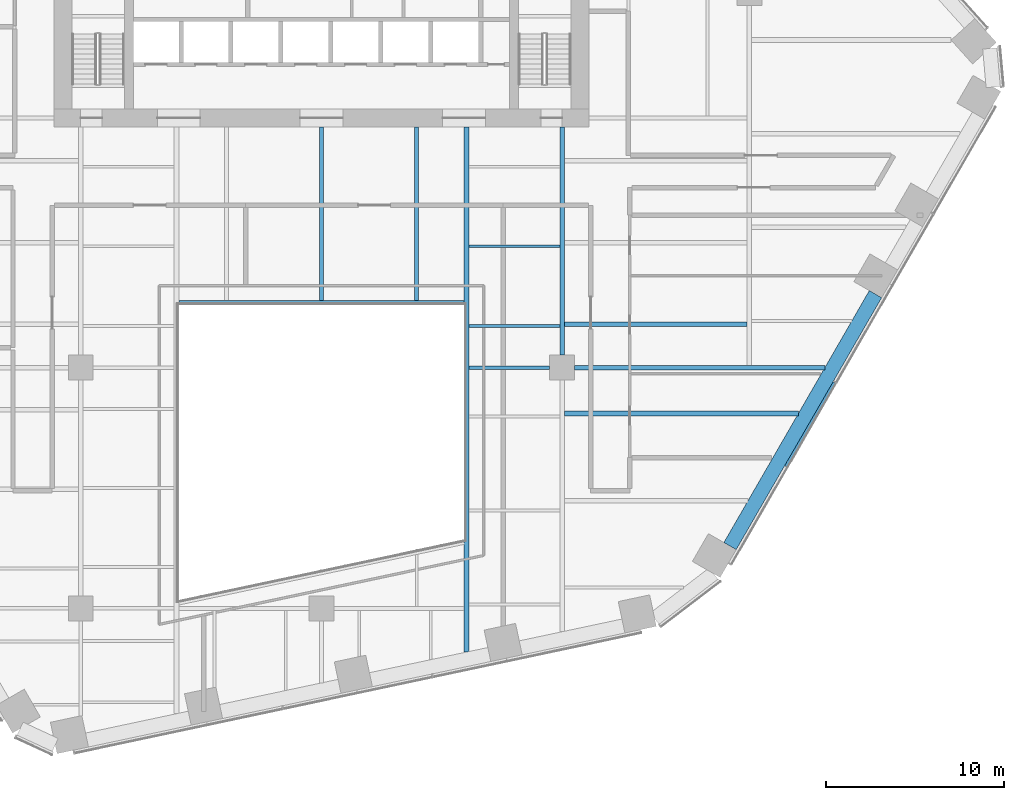
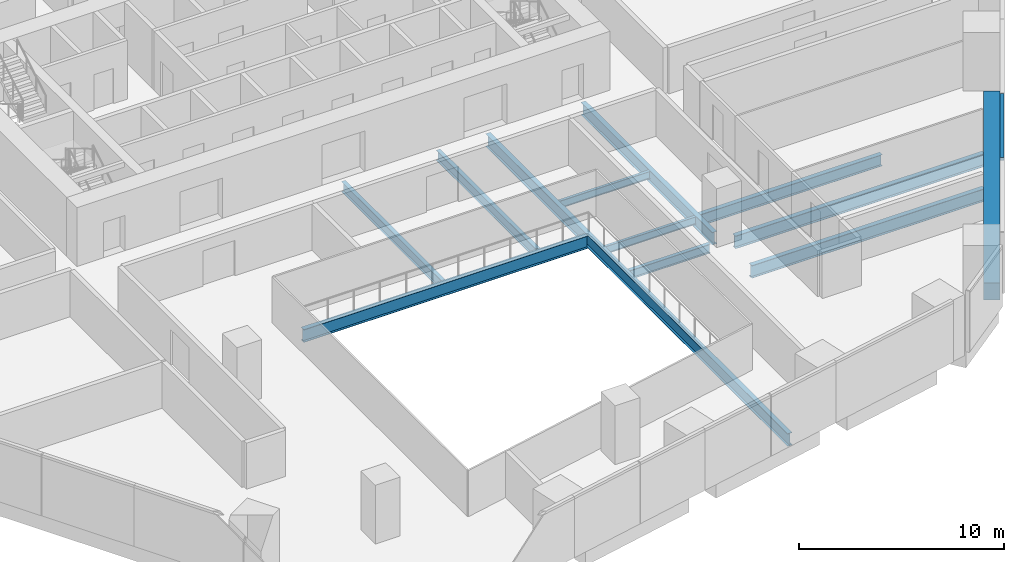
# One storey, part 6 of 20: 12 beams, 1 member, 1 element without a shape of its own.
"""IFC4 building model written with IfcOpenShell, lengths in metres."""

import ifcopenshell
import ifcopenshell.guid

model = None  # the IFC model being written
_history = None  # IfcOwnerHistory: only IFC2X3 demands one
_inside = {}  # id of a spatial element -> (the spatial element, [elements in it])
_under = {}  # id of a project, library or spatial element -> (it, [spatial elements below it])
_declared = {}  # id of a project -> (the project, [libraries it declares])
_typed = {}  # id of a type object -> (the type object, [elements of that type])
_made_of = {}  # id of a material, layer set ... -> (it, [elements and type objects made of it])


def new_model(schema):
    """Start an empty IFC model of exactly this schema.

    Asked for "IFC4X3", IfcOpenShell would pick the latest addendum, in which some entities
    have other attributes; the version numbers below select the first issue.
    IFC2X3 requires an IfcOwnerHistory on every rooted entity: one is made here for all.
    """
    global model, _history
    if schema == "IFC4X3":
        model = ifcopenshell.file(schema_version=(4, 3, 0, 0))
    else:
        model = ifcopenshell.file(schema=schema)
    _inside.clear()
    _under.clear()
    _declared.clear()
    _typed.clear()
    _made_of.clear()
    _history = None
    if model.schema == "IFC2X3":
        org = make("IfcOrganization", Name="unknown")
        user = make(
            "IfcPersonAndOrganization",
            ThePerson=make("IfcPerson", FamilyName="unknown"),
            TheOrganization=org,
        )
        app = make(
            "IfcApplication",
            ApplicationDeveloper=org,
            Version="unknown",
            ApplicationFullName="unknown",
            ApplicationIdentifier="unknown",
        )
        _history = make(
            "IfcOwnerHistory",
            OwningUser=user,
            OwningApplication=app,
            ChangeAction="ADDED",
            CreationDate=0,
        )
    return model


def make(cls, **values):
    """One entity of the class cls with the attributes given. An attribute that is None is left unset."""
    return model.create_entity(
        cls, **{name: value for name, value in values.items() if value is not None}
    )


def rooted(cls, **values):
    """An entity with a GlobalId (a new one), such as an element, a storey or a relation."""
    return make(cls, GlobalId=ifcopenshell.guid.new(), OwnerHistory=_history, **values)


def si_unit(unit_type, name, prefix=None):
    """IfcSIUnit, for example si_unit("LENGTHUNIT", "METRE", prefix="MILLI")."""
    return make("IfcSIUnit", UnitType=unit_type, Prefix=prefix, Name=name)


def assignment(units):
    """IfcUnitAssignment: the units of a project."""
    return None if units is None else make("IfcUnitAssignment", Units=units)


def point(xyz):
    """IfcCartesianPoint."""
    return None if xyz is None else make("IfcCartesianPoint", Coordinates=xyz)


def direction(xyz):
    """IfcDirection."""
    return None if xyz is None else make("IfcDirection", DirectionRatios=xyz)


def frame(location, z_axis=None, x_axis=None):
    """IfcAxis2Placement3D, a coordinate frame: its origin and axes. An axis left out is left unset."""
    return make(
        "IfcAxis2Placement3D",
        Location=point(location),
        Axis=direction(z_axis),
        RefDirection=direction(x_axis),
    )


def frame_2d(location, x_axis=None):
    """IfcAxis2Placement2D, a coordinate frame in the plane: its origin and x axis."""
    return make(
        "IfcAxis2Placement2D", Location=point(location), RefDirection=direction(x_axis)
    )


def origin():
    """The frame at (0, 0, 0) with its axes left unset."""
    return frame((0.0, 0.0, 0.0))


def origin_2d():
    """The frame at (0, 0) in the plane with its x axis left unset."""
    return frame_2d((0.0, 0.0))


def place(relative_to, where):
    """IfcLocalPlacement: puts the frame where relative to a parent placement (None: the world)."""
    return make(
        "IfcLocalPlacement", PlacementRelTo=relative_to, RelativePlacement=where
    )


def context(
    kind, dimensions, precision=None, world=None, true_north=None, identifier=None
):
    """IfcGeometricRepresentationContext, for example the 3D "Model" context."""
    return make(
        "IfcGeometricRepresentationContext",
        ContextIdentifier=identifier,
        ContextType=kind,
        CoordinateSpaceDimension=dimensions,
        Precision=precision,
        WorldCoordinateSystem=world,
        TrueNorth=true_north,
    )


def subcontext(parent, identifier, kind, view, scale=None):
    """IfcGeometricRepresentationSubContext, for example "Body" below "Model"."""
    return make(
        "IfcGeometricRepresentationSubContext",
        ContextIdentifier=identifier,
        ContextType=kind,
        ParentContext=parent,
        TargetScale=scale,
        TargetView=view,
    )


def project(units=None, contexts=None):
    """IfcProject with its units and contexts."""
    return rooted(
        "IfcProject",
        Name="project",
        RepresentationContexts=contexts,
        UnitsInContext=assignment(units),
    )


def spatial(cls, under=None, at=None, **own):
    """A site, building, storey or space (cls), placed at a placement, below another one or the project."""
    s = rooted(cls, ObjectPlacement=at, **own)
    if under is not None:
        _under.setdefault(under.id(), (under, []))[1].append(s)
    return s


def profile(cls, at=None, kind="AREA", **sizes):
    """A parametric profile (cls). Its sizes go by their IFC names, for example OverallWidth=200.0."""
    return make(cls, ProfileType=kind, Position=at, **sizes)


def rectangle(**sizes):
    """IfcRectangleProfileDef."""
    return profile("IfcRectangleProfileDef", **sizes)


def i_section(**sizes):
    """IfcIShapeProfileDef."""
    return profile("IfcIShapeProfileDef", **sizes)


def extrude(swept, where, along, depth):
    """IfcExtrudedAreaSolid: the profile swept, set in the frame where, extruded along a direction by depth."""
    return make(
        "IfcExtrudedAreaSolid",
        SweptArea=swept,
        Position=where,
        ExtrudedDirection=direction(along),
        Depth=depth,
    )


def shape(context_of_items, identifier, shape_type, items):
    """IfcShapeRepresentation: the items that make up one representation, for example the "Body"."""
    return make(
        "IfcShapeRepresentation",
        ContextOfItems=context_of_items,
        RepresentationIdentifier=identifier,
        RepresentationType=shape_type,
        Items=items,
    )


def material(Name=None, Category=None):
    """IfcMaterial."""
    return make("IfcMaterial", Name=Name, Category=Category)


def layer(
    of_material, thickness, ventilated=None, Name=None, Category=None, Priority=None
):
    """IfcMaterialLayer: one layer of a wall or slab, of a material (None: an air gap)."""
    return make(
        "IfcMaterialLayer",
        Material=of_material,
        LayerThickness=thickness,
        IsVentilated=ventilated,
        Name=Name,
        Category=Category,
        Priority=Priority,
    )


def layer_set(layers, Name=None):
    """IfcMaterialLayerSet."""
    return make("IfcMaterialLayerSet", MaterialLayers=layers, LayerSetName=Name)


def material_profile(
    of_material, cross_section, Name=None, Category=None, Priority=None
):
    """IfcMaterialProfile: a cross section and its material."""
    return make(
        "IfcMaterialProfile",
        Name=Name,
        Material=of_material,
        Profile=cross_section,
        Priority=Priority,
        Category=Category,
    )


def profile_set(profiles, Name=None, composite=None):
    """IfcMaterialProfileSet."""
    return make(
        "IfcMaterialProfileSet",
        Name=Name,
        MaterialProfiles=profiles,
        CompositeProfile=composite,
    )


def made_of(thing, what):
    """Note that an element or type object is made of a material, layer set ...; save() writes the relation."""
    if what is not None:
        _made_of.setdefault(what.id(), (what, []))[1].append(thing)
    return thing


def type_object(cls, material=None, **own):
    """A type object (cls), such as IfcWallType, which elements share."""
    return made_of(rooted(cls, **own), material)


def element(
    cls,
    number,
    at=None,
    inside=None,
    cuts=None,
    type_object=None,
    material=None,
    context=None,
    identifier="Body",
    shape_type=None,
    held_by="IfcProductDefinitionShape",
    body=None,
    shapes=None,
    **own,
):
    """One element of the class cls, such as IfcWall. Its Tag is "e" and its number.

    at: its placement. inside: the storey or other place that contains it. cuts: it is an
    opening in that element (IfcRelVoidsElement). A single representation is given by context,
    identifier, shape_type and body (its items); several are given by shapes. held_by: the class
    of the entity that holds the representations. save() writes the other relations.
    """
    e = rooted(cls, Tag="e%d" % number, ObjectPlacement=at, **own)
    if body is not None:
        shapes = [shape(context, identifier, shape_type, body)]
    if shapes is not None:
        e.Representation = make(held_by, Representations=shapes)
    if inside is not None:
        _inside.setdefault(inside.id(), (inside, []))[1].append(e)
    if cuts is not None:
        rooted(
            "IfcRelVoidsElement", RelatingBuildingElement=cuts, RelatedOpeningElement=e
        )
    if type_object is not None:
        _typed.setdefault(type_object.id(), (type_object, []))[1].append(e)
    return made_of(e, material)


def aggregate(whole, parts):
    """IfcRelAggregates: a whole, such as a stair, and the parts it consists of."""
    return rooted("IfcRelAggregates", RelatingObject=whole, RelatedObjects=parts)


def save(model, path):
    """Write the relations noted so far, then the file.

    IfcRelAggregates (storeys below a building ...), IfcRelContainedInSpatialStructure (elements
    in a storey), IfcRelDefinesByType, IfcRelAssociatesMaterial and IfcRelDeclares: one each for
    every whole, place, type object, material and project.
    """
    for whole, parts in _under.values():
        aggregate(whole, parts)
    for where, things in _inside.values():
        rooted(
            "IfcRelContainedInSpatialStructure",
            RelatedElements=things,
            RelatingStructure=where,
        )
    for kind, things in _typed.values():
        rooted("IfcRelDefinesByType", RelatedObjects=things, RelatingType=kind)
    for what, things in _made_of.values():
        rooted("IfcRelAssociatesMaterial", RelatedObjects=things, RelatingMaterial=what)
    for by, libraries in _declared.values():
        rooted("IfcRelDeclares", RelatingContext=by, RelatedDefinitions=libraries)
    model.write(path)


model = new_model("IFC4")

# Units and contexts
model_context = context("Model", 3, precision=1e-05, world=origin(), true_north=direction((0.0, 1.0)))
body_context = subcontext(model_context, "Body", "Model", "MODEL_VIEW")
ifc_project = project(units=[si_unit("LENGTHUNIT", "METRE"), si_unit("AREAUNIT", "SQUARE_METRE"), si_unit("VOLUMEUNIT", "CUBIC_METRE"), si_unit("PLANEANGLEUNIT", "RADIAN"), si_unit("MASSUNIT", "GRAM", prefix="KILO")], contexts=[model_context])

# Site, building, storey
site_placement = place(None, origin())
site = spatial("IfcSite", under=ifc_project, at=site_placement, CompositionType="ELEMENT")
building_placement = place(site_placement, origin())
building = spatial("IfcBuilding", under=site, at=building_placement, Name="Isthmus Gate Tower", CompositionType="ELEMENT")
storey_placement = place(building_placement, frame((0.0, 0.0, 61.550048828125)))
storey = spatial("IfcBuildingStorey", under=building, at=storey_placement, Name="L13", CompositionType="ELEMENT", Elevation=61.550048828125)

# Curtain wall, member
ifc_material_1 = material(Name="Aluminium, pale champagne anodised", Category="aluminium")
ifc_layer = layer(ifc_material_1, 0.199951171875)
ifc_layer_set = layer_set([ifc_layer], Name="CW-1 UNITISED CURTAIN WALL 200 DEEP")
curtain_wall_type = type_object("IfcCurtainWallType", Name="CW-1 UNITISED CURTAIN WALL 200 DEEP", PredefinedType="NOTDEFINED", material=ifc_layer_set)
curtain_wall_placement = place(storey_placement, origin())
curtain_wall = element("IfcCurtainWall", 1, at=curtain_wall_placement, inside=storey, type_object=curtain_wall_type, Name="CW-1 SE L13", PredefinedType="NOTDEFINED")
ifc_material_2 = material(Name="Aluminium, pale champagne anodised", Category="aluminium")
ifc_material_profile_1 = material_profile(ifc_material_2, rectangle(XDim=0.199951171875, YDim=0.14990234375, at=origin_2d()), Name="200x150")
ifc_profile_set_1 = profile_set([ifc_material_profile_1], Name="Aluminium, pale champagne anodised")
member_type = type_object("IfcMemberType", Name="CW-1 TRANSOM 200 X 150", PredefinedType="USERDEFINED", material=ifc_profile_set_1)
member_placement = place(storey_placement, frame((26.06787109375, -19.04931640625, 3.574951171875), z_axis=(0.499991872758, 0.866030095999, 0.0), x_axis=(-0.866030095999, 0.499991872758, 0.0)))
member = element("IfcMember", 2, at=member_placement, type_object=member_type, Name="CW-1 transom", ObjectType="TRANSOM", PredefinedType="USERDEFINED", context=body_context, shape_type="SweptSolid", body=[
    extrude(rectangle(XDim=0.199951171875, YDim=0.14990234375, at=origin_2d()), origin(), (0.0, 0.0, 1.0), 5.4384765625),
])
aggregate(curtain_wall, [member])

# Beams
ifc_material_3 = material(Name="Concrete f'c 70 MPa", Category="concrete")
ifc_material_profile_2 = material_profile(ifc_material_3, rectangle(XDim=0.800048828125, YDim=1.0, at=origin_2d()), Name="RC 800X1000")
ifc_profile_set_2 = profile_set([ifc_material_profile_2], Name="Concrete f'c 70 MPa")
beam_type_1 = type_object("IfcBeamType", Name="RC SPANDREL 800 X 1000", PredefinedType="SPANDREL", material=ifc_profile_set_2)
beam_1_placement = place(storey_placement, frame((31.0732421875, -9.37939453125, -0.5), z_axis=(-0.499991872758, -0.866030095999, 0.0), x_axis=(0.866030095999, -0.499991872758, 0.0)))
element("IfcBeam", 3, at=beam_1_placement, inside=storey, type_object=beam_type_1, Name="str-spandrel-L13-08", PredefinedType="SPANDREL", context=body_context, shape_type="SweptSolid", body=[
    extrude(rectangle(XDim=0.800048828125, YDim=1.0, at=origin_2d()), origin(), (0.0, 0.0, 1.0), 16.315673828125),
])
ifc_material_4 = material(Name="Structural steel ASTM A992 Gr 50", Category="steel")
ifc_material_profile_3 = material_profile(ifc_material_4, i_section(OverallWidth=0.15234375, OverallDepth=0.45068359375, WebThickness=0.0078125, FlangeThickness=0.010986328125, at=origin_2d()), Name="W18X35")
ifc_profile_set_3 = profile_set([ifc_material_profile_3], Name="Structural steel ASTM A992 Gr 50")
beam_type_2 = type_object("IfcBeamType", Name="STEEL FLOOR BEAM W18X35", PredefinedType="JOIST", material=ifc_profile_set_3)
for number, where, z_axis, x_axis, name in (
    (4, (8.263427734375, -11.16259765625, -0.37548828125), (1.0, 0.0, 0.0), (0.0, 1.0, 0.0), "str-beam-L13-23-00"),
    (5, (8.263427734375, -6.697509765625, -0.37548828125), (1.0, 0.0, 0.0), (0.0, 1.0, 0.0), "str-beam-L13-23-01"),
):
    element("IfcBeam", number, at=place(storey_placement, frame(where, z_axis=z_axis, x_axis=x_axis)), inside=storey, type_object=beam_type_2, Name=name, PredefinedType="JOIST", context=body_context, shape_type="SweptSolid", body=[
        extrude(i_section(OverallWidth=0.15234375, OverallDepth=0.45068359375, WebThickness=0.0078125, FlangeThickness=0.010986328125, at=origin_2d()), origin(), (0.0, 0.0, 1.0), 5.104736328125),
    ])
ifc_material_5 = material(Name="Structural steel ASTM A992 Gr 50", Category="steel")
ifc_material_profile_4 = material_profile(ifc_material_5, i_section(OverallWidth=0.228515625, OverallDepth=0.603271484375, WebThickness=0.010986328125, FlangeThickness=0.014404296875, at=origin_2d()), Name="W24X68")
ifc_profile_set_4 = profile_set([ifc_material_profile_4], Name="Structural steel ASTM A992 Gr 50")
beam_type_3 = type_object("IfcBeamType", Name="STEEL FLOOR BEAM W24X68", PredefinedType="JOIST", material=ifc_profile_set_4)
for number, where, z_axis, x_axis, name in (
    (6, (0.0, -9.7333984375, -0.45166015625), (0.0, 1.0, 0.0), (-1.0, 0.0, 0.0), "str-beam-L13-16-01"),
    (7, (5.333251953125, -9.7333984375, -0.45166015625), (0.0, 1.0, 0.0), (-1.0, 0.0, 0.0), "str-beam-L13-16-02"),
):
    element("IfcBeam", number, at=place(storey_placement, frame(where, z_axis=z_axis, x_axis=x_axis)), inside=storey, type_object=beam_type_3, Name=name, PredefinedType="JOIST", context=body_context, shape_type="SweptSolid", body=[
        extrude(i_section(OverallWidth=0.228515625, OverallDepth=0.603271484375, WebThickness=0.010986328125, FlangeThickness=0.014404296875, at=origin_2d()), origin(), (0.0, 0.0, 1.0), 9.7333984375),
    ])
ifc_material_6 = material(Name="Structural steel ASTM A992 Gr 50", Category="steel")
ifc_material_profile_5 = material_profile(ifc_material_6, i_section(OverallWidth=0.25390625, OverallDepth=0.679443359375, WebThickness=0.010986328125, FlangeThickness=0.015869140625, at=origin_2d()), Name="W27X84")
ifc_profile_set_5 = profile_set([ifc_material_profile_5], Name="Structural steel ASTM A992 Gr 50")
beam_type_4 = type_object("IfcBeamType", Name="STEEL FLOOR BEAM W27X84", PredefinedType="JOIST", material=ifc_profile_set_5)
beam_2_placement = place(storey_placement, frame((13.6318359375, -11.07470703125, -0.48974609375), z_axis=(1.0, 0.0, 0.0), x_axis=(0.0, 1.0, 0.0)))
element("IfcBeam", 8, at=beam_2_placement, inside=storey, type_object=beam_type_4, Name="str-beam-L13-27-00", PredefinedType="JOIST", context=body_context, shape_type="SweptSolid", body=[
    extrude(i_section(OverallWidth=0.25390625, OverallDepth=0.679443359375, WebThickness=0.010986328125, FlangeThickness=0.015869140625, at=origin_2d()), origin(), (0.0, 0.0, 1.0), 10.23486328125),
])
ifc_material_7 = material(Name="Structural steel ASTM A992 Gr 50", Category="steel")
ifc_material_profile_6 = material_profile(ifc_material_7, i_section(OverallWidth=0.263427734375, OverallDepth=0.749267578125, WebThickness=0.0126953125, FlangeThickness=0.015869140625, at=origin_2d()), Name="W30X90")
ifc_profile_set_6 = profile_set([ifc_material_profile_6], Name="Structural steel ASTM A992 Gr 50")
beam_type_5 = type_object("IfcBeamType", Name="STEEL FLOOR BEAM W30X90", PredefinedType="JOIST", material=ifc_profile_set_6)
beam_3_placement = place(storey_placement, frame((13.63330078125, -16.0751953125, -0.524658203125), z_axis=(1.0, 0.0, 0.0), x_axis=(0.0, 1.0, 0.0)))
element("IfcBeam", 9, at=beam_3_placement, inside=storey, type_object=beam_type_5, Name="str-beam-L13-28-02", PredefinedType="JOIST", context=body_context, shape_type="SweptSolid", body=[
    extrude(i_section(OverallWidth=0.263427734375, OverallDepth=0.749267578125, WebThickness=0.0126953125, FlangeThickness=0.015869140625, at=origin_2d()), origin(), (0.0, 0.0, 1.0), 13.1123046875),
])
ifc_material_8 = material(Name="Structural steel ASTM A992 Gr 50", Category="steel")
ifc_material_profile_7 = material_profile(ifc_material_8, i_section(OverallWidth=0.20947265625, OverallDepth=0.533447265625, WebThickness=0.009521484375, FlangeThickness=0.015869140625, at=origin_2d()), Name="W21X62")
ifc_profile_set_7 = profile_set([ifc_material_profile_7], Name="Structural steel ASTM A992 Gr 50")
beam_type_6 = type_object("IfcBeamType", Name="STEEL GIRDER W21X62", PredefinedType="BEAM", material=ifc_profile_set_7)
beam_4_placement = place(storey_placement, frame((8.263427734375, -13.5, -0.416748046875), z_axis=(1.0, 0.0, 0.0), x_axis=(0.0, 1.0, 0.0)))
element("IfcBeam", 10, at=beam_4_placement, inside=storey, type_object=beam_type_6, Name="str-girder-L13-07", PredefinedType="BEAM", context=body_context, shape_type="SweptSolid", body=[
    extrude(i_section(OverallWidth=0.20947265625, OverallDepth=0.533447265625, WebThickness=0.009521484375, FlangeThickness=0.015869140625, at=origin_2d()), origin(), (0.0, 0.0, 1.0), 4.53662109375),
])
ifc_material_9 = material(Name="Structural steel ASTM A992 Gr 50", Category="steel")
ifc_material_profile_8 = material_profile(ifc_material_9, i_section(OverallWidth=0.2666015625, OverallDepth=0.7587890625, WebThickness=0.014404296875, FlangeThickness=0.01904296875, at=origin_2d()), Name="W30X108")
ifc_profile_set_8 = profile_set([ifc_material_profile_8], Name="Structural steel ASTM A992 Gr 50")
beam_type_7 = type_object("IfcBeamType", Name="STEEL GIRDER W30X108", PredefinedType="BEAM", material=ifc_profile_set_8)
beam_5_placement = place(storey_placement, frame((14.199951171875, -13.5, -0.529541015625), z_axis=(1.0, 0.0, 0.0), x_axis=(0.0, 1.0, 0.0)))
element("IfcBeam", 11, at=beam_5_placement, inside=storey, type_object=beam_type_7, Name="str-girder-L13-08", PredefinedType="BEAM", context=body_context, shape_type="SweptSolid", body=[
    extrude(i_section(OverallWidth=0.2666015625, OverallDepth=0.7587890625, WebThickness=0.014404296875, FlangeThickness=0.01904296875, at=origin_2d()), origin(), (0.0, 0.0, 1.0), 14.032470703125),
])
ifc_material_10 = material(Name="Structural steel ASTM A992 Gr 50", Category="steel")
ifc_material_profile_9 = material_profile(ifc_material_10, i_section(OverallWidth=0.263427734375, OverallDepth=0.749267578125, WebThickness=0.0126953125, FlangeThickness=0.015869140625, at=origin_2d()), Name="W30X90")
ifc_profile_set_9 = profile_set([ifc_material_profile_9], Name="Structural steel ASTM A992 Gr 50")
beam_type_8 = type_object("IfcBeamType", Name="STEEL GIRDER W30X90", PredefinedType="BEAM", material=ifc_profile_set_9)
beam_6_placement = place(storey_placement, frame((13.5, -12.800048828125, -0.524658203125), z_axis=(0.0, 1.0, 0.0), x_axis=(-1.0, 0.0, 0.0)))
element("IfcBeam", 12, at=beam_6_placement, inside=storey, type_object=beam_type_8, Name="str-girder-L13-32", PredefinedType="BEAM", context=body_context, shape_type="SweptSolid", body=[
    extrude(i_section(OverallWidth=0.263427734375, OverallDepth=0.749267578125, WebThickness=0.0126953125, FlangeThickness=0.015869140625, at=origin_2d()), origin(), (0.0, 0.0, 1.0), 12.800048828125),
])
ifc_material_11 = material(Name="Structural steel ASTM A992 Gr 50", Category="steel")
ifc_material_profile_10 = material_profile(ifc_material_11, i_section(OverallWidth=0.2666015625, OverallDepth=0.7587890625, WebThickness=0.014404296875, FlangeThickness=0.01904296875, at=origin_2d()), Name="W30X108")
ifc_profile_set_10 = profile_set([ifc_material_profile_10], Name="Structural steel ASTM A992 Gr 50")
beam_type_9 = type_object("IfcBeamType", Name="STEEL TRIMMER W30X108", PredefinedType="BEAM", material=ifc_profile_set_10)
beam_7_placement = place(storey_placement, frame((8.0, -9.86669921875, -0.529541015625), z_axis=(-1.0, 0.0, 0.0), x_axis=(0.0, -1.0, 0.0)))
element("IfcBeam", 13, at=beam_7_placement, inside=storey, type_object=beam_type_9, Name="str-trimmer-L13-04", PredefinedType="BEAM", context=body_context, shape_type="SweptSolid", body=[
    extrude(i_section(OverallWidth=0.2666015625, OverallDepth=0.7587890625, WebThickness=0.014404296875, FlangeThickness=0.01904296875, at=origin_2d()), origin(), (0.0, 0.0, 1.0), 16.0),
])
ifc_material_12 = material(Name="Structural steel ASTM A992 Gr 50", Category="steel")
ifc_material_profile_11 = material_profile(ifc_material_12, i_section(OverallWidth=0.263427734375, OverallDepth=0.749267578125, WebThickness=0.0126953125, FlangeThickness=0.015869140625, at=origin_2d()), Name="W30X90")
ifc_profile_set_11 = profile_set([ifc_material_profile_11], Name="Structural steel ASTM A992 Gr 50")
beam_type_10 = type_object("IfcBeamType", Name="STEEL TRIMMER W30X90", PredefinedType="BEAM", material=ifc_profile_set_11)
beam_8_placement = place(storey_placement, frame((8.1318359375, -29.45361328125, -0.524658203125), z_axis=(0.0, 1.0, 0.0), x_axis=(-1.0, 0.0, 0.0)))
element("IfcBeam", 14, at=beam_8_placement, inside=storey, type_object=beam_type_10, Name="str-trimmer-L13-01", PredefinedType="BEAM", context=body_context, shape_type="SweptSolid", body=[
    extrude(i_section(OverallWidth=0.263427734375, OverallDepth=0.749267578125, WebThickness=0.0126953125, FlangeThickness=0.015869140625, at=origin_2d()), origin(), (0.0, 0.0, 1.0), 29.45361328125),
])

save(model, "model.ifc")
